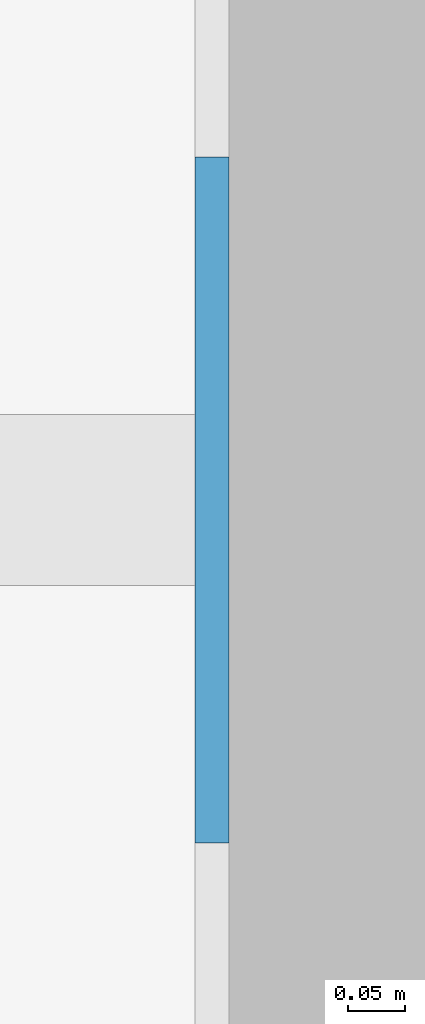
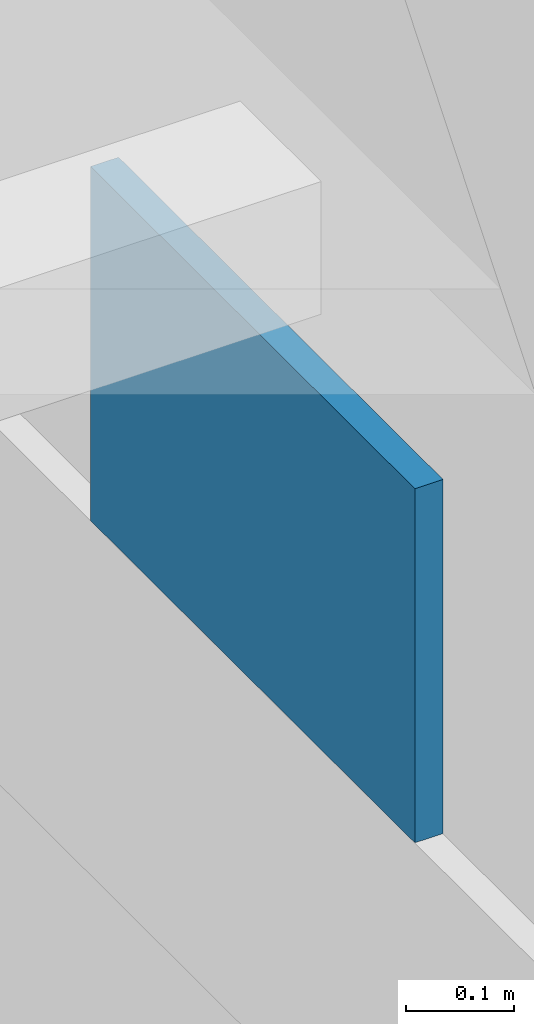
# One storey, part 27 of 64: 1 plate.
"""IFC4 building model written with IfcOpenShell, lengths in metres."""

from ifc_helpers import new_model, si_unit, direction, frame, origin, origin_2d, place, context, subcontext, project, spatial, rectangle, extrude, material, layer, layer_set, type_object, element, save


model = new_model("IFC4")

# Units and contexts
model_context = context("Model", 3, precision=1e-05, world=origin(), true_north=direction((0.0, 1.0)))
body_context = subcontext(model_context, "Body", "Model", "MODEL_VIEW")
ifc_project = project(units=[si_unit("LENGTHUNIT", "METRE"), si_unit("AREAUNIT", "SQUARE_METRE"), si_unit("VOLUMEUNIT", "CUBIC_METRE"), si_unit("PLANEANGLEUNIT", "RADIAN"), si_unit("MASSUNIT", "GRAM", prefix="KILO")], contexts=[model_context])

# Site, building, storey
site_placement = place(None, origin())
site = spatial("IfcSite", under=ifc_project, at=site_placement, CompositionType="ELEMENT")
building_placement = place(site_placement, origin())
building = spatial("IfcBuilding", under=site, at=building_placement, Name="Tessera Arch", CompositionType="ELEMENT")
storey_placement = place(building_placement, origin())
storey = spatial("IfcBuildingStorey", under=building, at=storey_placement, Name="L00", CompositionType="ELEMENT", Elevation=0.0)

# Plate
ifc_material = material(Name="Glazed ceramic tile gold", Category="ceramic")
ifc_layer = layer(ifc_material, 0.030029296875)
ifc_layer_set = layer_set([ifc_layer], Name="Museum tile band gold")
plate_type = type_object("IfcPlateType", Name="Museum tile band gold", PredefinedType="SHEET", material=ifc_layer_set)
plate_placement = place(storey_placement, frame((-32.56494140625, 31.949951171875, 4.400146484375), z_axis=(0.0, 0.0, 1.0), x_axis=(0.0, 1.0, 0.0)))
element("IfcPlate", 1, at=plate_placement, inside=storey, type_object=plate_type, Name="Entrance portal course 4", PredefinedType="SHEET", context=body_context, shape_type="SweptSolid", body=[
    extrude(rectangle(XDim=0.60009765625, YDim=0.030029296875, at=origin_2d()), origin(), (0.0, 0.0, 1.0), 0.39990234375),
])

save(model, "model.ifc")
